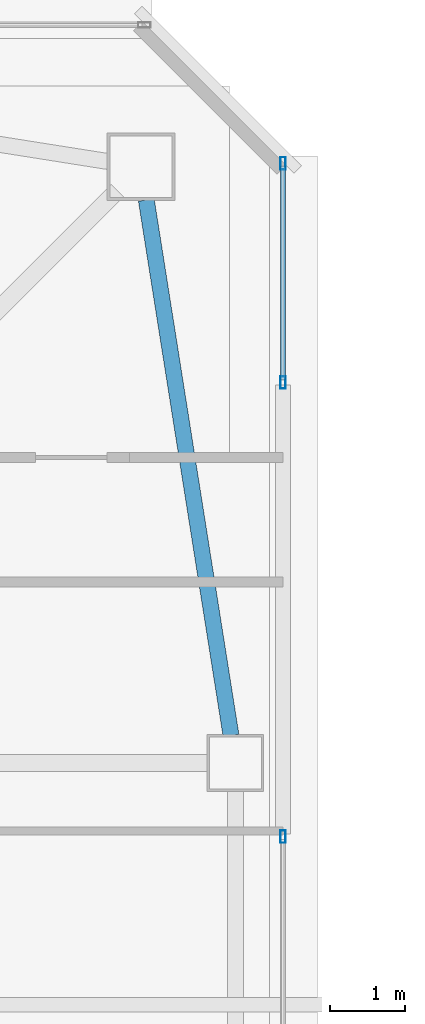
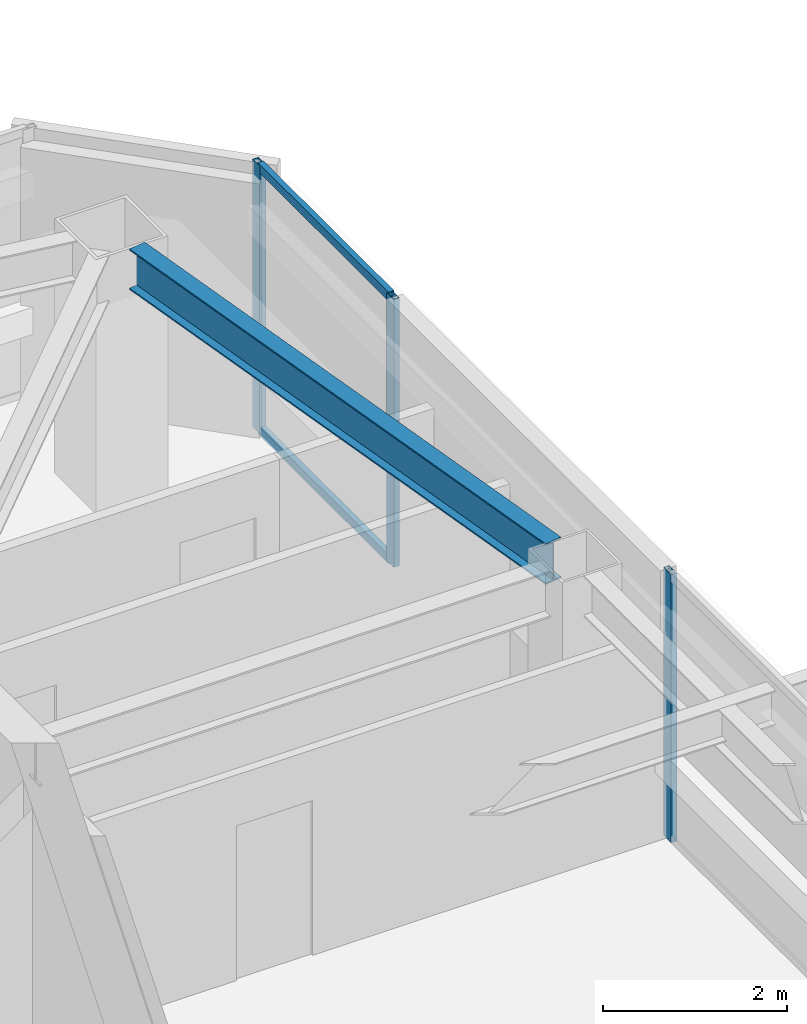
# One storey, part 9 of 31: 5 members, 1 beam, 2 elements without a shape of their own.
"""IFC4 building model written with IfcOpenShell, lengths in metres."""

from ifc_helpers import new_model, si_unit, direction, frame, origin, origin_2d, place, context, subcontext, project, spatial, hollow_rectangle, i_section, extrude, material, material_profile, profile_set, type_object, element, aggregate, save


model = new_model("IFC4")

# Units and contexts
model_context = context("Model", 3, precision=1e-05, world=origin(), true_north=direction((0.0, 1.0)))
body_context = subcontext(model_context, "Body", "Model", "MODEL_VIEW")
ifc_project = project(units=[si_unit("LENGTHUNIT", "METRE"), si_unit("AREAUNIT", "SQUARE_METRE"), si_unit("VOLUMEUNIT", "CUBIC_METRE"), si_unit("PLANEANGLEUNIT", "RADIAN"), si_unit("MASSUNIT", "GRAM", prefix="KILO")], contexts=[model_context])

# Site, building, storey
site_placement = place(None, origin())
site = spatial("IfcSite", under=ifc_project, at=site_placement, CompositionType="ELEMENT")
building_placement = place(site_placement, origin())
building = spatial("IfcBuilding", under=site, at=building_placement, Name="Tashvorn Skyway Center", CompositionType="ELEMENT")
storey_placement = place(building_placement, frame((0.0, 0.0, 266.949951171875)))
storey = spatial("IfcBuildingStorey", under=building, at=storey_placement, Name="L72", CompositionType="ELEMENT", Elevation=266.949951171875)

# Beam
ifc_material_1 = material(Name="Steel ASTM A992 Grade 50", Category="steel")
ifc_material_profile_1 = material_profile(ifc_material_1, i_section(OverallWidth=0.2109375, OverallDepth=0.5390625, WebThickness=0.01171875, FlangeThickness=0.018798828125, at=origin_2d()), Name="W21X73")
ifc_profile_set_1 = profile_set([ifc_material_profile_1], Name="Steel ASTM A992 Grade 50")
beam_type = type_object("IfcBeamType", Name="BM-SPANDREL-W21X73", PredefinedType="SPANDREL", material=ifc_profile_set_1)
beam_placement = place(storey_placement, frame((56.4921875, 37.765380859375, 3.1005859375), z_axis=(-0.156274976, 0.987713587978, 0.0), x_axis=(-0.987713587978, -0.156274976, 0.0)))
element("IfcBeam", 1, at=beam_placement, inside=storey, type_object=beam_type, Name="Tower 1 L72 Spandrel Beam 06", PredefinedType="SPANDREL", context=body_context, shape_type="SweptSolid", body=[
    extrude(i_section(OverallWidth=0.2109375, OverallDepth=0.5390625, WebThickness=0.01171875, FlangeThickness=0.018798828125, at=origin_2d()), origin(), (0.0, 0.0, 1.0), 7.18310546875),
])

# Curtain wall, members
ifc_material_2 = material(Name="Thermally broken bronze-anodized aluminium 6063-T6", Category="aluminium")
curtain_wall_type = type_object("IfcCurtainWallType", Name="CW-CW-Z5", PredefinedType="NOTDEFINED", material=ifc_material_2)
curtain_wall_1_placement = place(storey_placement, origin())
curtain_wall_1 = element("IfcCurtainWall", 2, at=curtain_wall_1_placement, inside=storey, type_object=curtain_wall_type, Name="Tower 1 L72 East Unitised Curtain Wall Glazing Group 1", PredefinedType="NOTDEFINED")
ifc_material_profile_2 = material_profile(ifc_material_2, hollow_rectangle(XDim=0.070068359375, YDim=0.1650390625, WallThickness=0.00390625, at=origin_2d()), Name="ALU-MULL-70x165")
ifc_profile_set_2 = profile_set([ifc_material_profile_2], Name="Thermally broken bronze-anodized aluminium 6063-T6")
member_type_1 = type_object("IfcMemberType", Name="CWM-CW-Z5", PredefinedType="MULLION", material=ifc_profile_set_2)
member_1_placement = place(storey_placement, frame((57.179931640625, 45.344970703125, 0.0), z_axis=(0.0, 0.0, 1.0), x_axis=(1.0, 0.0, 0.0)))
member_1 = element("IfcMember", 3, at=member_1_placement, type_object=member_type_1, Name="CW-Z5 mullion 1", PredefinedType="MULLION", context=body_context, shape_type="SweptSolid", body=[
    extrude(hollow_rectangle(XDim=0.070068359375, YDim=0.1650390625, WallThickness=0.00390625, at=origin_2d()), origin(), (0.0, 0.0, 1.0), 3.550048828125),
])
member_2_placement = place(storey_placement, frame((57.179931640625, 42.441650390625, 0.0), z_axis=(0.0, 0.0, 1.0), x_axis=(1.0, 0.0, 0.0)))
member_2 = element("IfcMember", 4, at=member_2_placement, type_object=member_type_1, Name="CW-Z5 mullion 2", PredefinedType="MULLION", context=body_context, shape_type="SweptSolid", body=[
    extrude(hollow_rectangle(XDim=0.070068359375, YDim=0.1650390625, WallThickness=0.00390625, at=origin_2d()), origin(), (0.0, 0.0, 1.0), 3.550048828125),
])

# Curtain wall, member
curtain_wall_2_placement = place(storey_placement, origin())
curtain_wall_2 = element("IfcCurtainWall", 5, at=curtain_wall_2_placement, inside=storey, type_object=curtain_wall_type, Name="Tower 1 L72 East Unitised Curtain Wall Glazing Group 2", PredefinedType="NOTDEFINED")
member_3_placement = place(storey_placement, frame((57.179931640625, 36.425048828125, 0.0), z_axis=(0.0, 0.0, 1.0), x_axis=(1.0, 0.0, 0.0)))
member_3 = element("IfcMember", 6, at=member_3_placement, type_object=member_type_1, Name="CW-Z5 mullion 1", PredefinedType="MULLION", context=body_context, shape_type="SweptSolid", body=[
    extrude(hollow_rectangle(XDim=0.070068359375, YDim=0.1650390625, WallThickness=0.00390625, at=origin_2d()), origin(), (0.0, 0.0, 1.0), 3.550048828125),
])
aggregate(curtain_wall_2, [member_3])

# Member
ifc_material_profile_3 = material_profile(ifc_material_2, hollow_rectangle(XDim=0.070068359375, YDim=0.114990234375, WallThickness=0.00390625, at=origin_2d()), Name="ALU-TRAN-70x115")
ifc_profile_set_3 = profile_set([ifc_material_profile_3], Name="Thermally broken bronze-anodized aluminium 6063-T6")
member_type_2 = type_object("IfcMemberType", Name="CWT-CW-Z5", PredefinedType="USERDEFINED", material=ifc_profile_set_3)
member_4_placement = place(storey_placement, frame((57.179931640625, 45.31005859375, 0.03515625), z_axis=(0.0, -1.0, 0.0), x_axis=(1.0, 0.0, 0.0)))
member_4 = element("IfcMember", 7, at=member_4_placement, type_object=member_type_2, Name="CW-Z5 transom 1.1", ObjectType="TRANSOM", PredefinedType="USERDEFINED", context=body_context, shape_type="SweptSolid", body=[
    extrude(hollow_rectangle(XDim=0.070068359375, YDim=0.114990234375, WallThickness=0.00390625, at=origin_2d()), origin(), (0.0, 0.0, 1.0), 2.833251953125),
])

member_5_placement = place(storey_placement, frame((57.179931640625, 45.31005859375, 3.51513671875), z_axis=(0.0, -1.0, 0.0), x_axis=(1.0, 0.0, 0.0)))
member_5 = element("IfcMember", 8, at=member_5_placement, type_object=member_type_2, Name="CW-Z5 transom 1.2", ObjectType="TRANSOM", PredefinedType="USERDEFINED", context=body_context, shape_type="SweptSolid", body=[
    extrude(hollow_rectangle(XDim=0.070068359375, YDim=0.114990234375, WallThickness=0.00390625, at=origin_2d()), origin(), (0.0, 0.0, 1.0), 2.833251953125),
])

aggregate(curtain_wall_1, [member_1, member_2, member_4, member_5])

save(model, "model.ifc")
